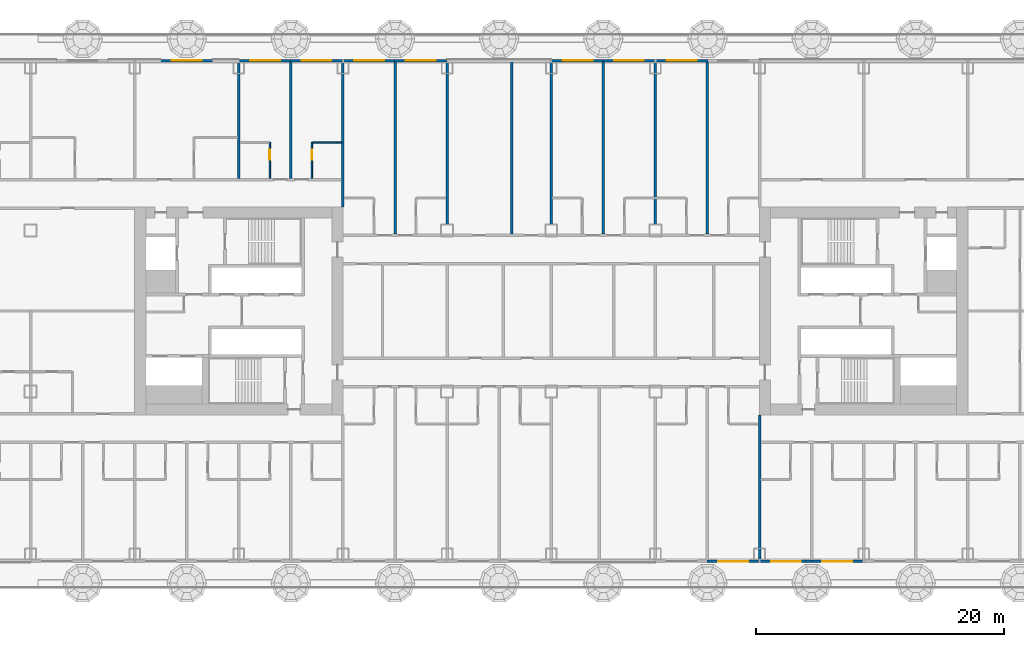
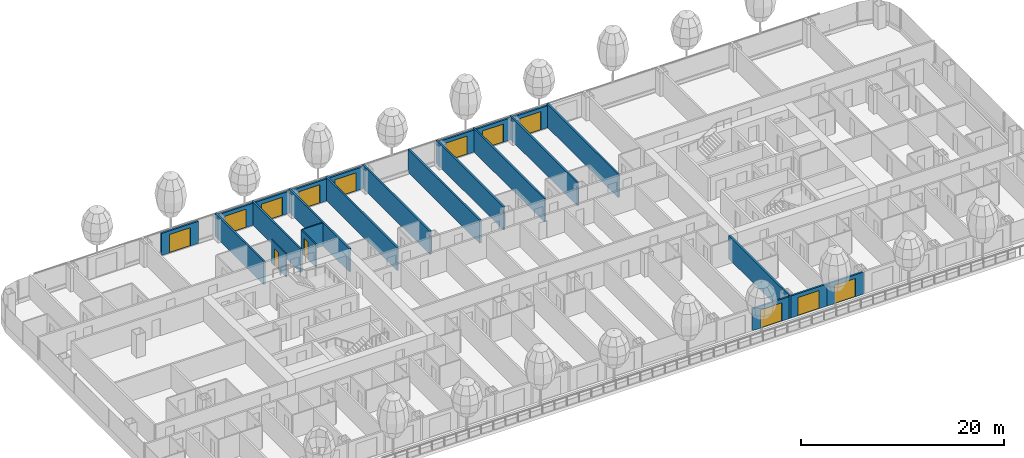
# One storey, part 18 of 37: 25 walls, 13 doors, 13 openings, 2 elements without a shape of their own.
"""IFC4 building model written with IfcOpenShell, lengths in metres."""

import ifcopenshell
import ifcopenshell.guid

model = None  # the IFC model being written
_history = None  # IfcOwnerHistory: only IFC2X3 demands one
_inside = {}  # id of a spatial element -> (the spatial element, [elements in it])
_under = {}  # id of a project, library or spatial element -> (it, [spatial elements below it])
_declared = {}  # id of a project -> (the project, [libraries it declares])
_typed = {}  # id of a type object -> (the type object, [elements of that type])
_made_of = {}  # id of a material, layer set ... -> (it, [elements and type objects made of it])


def new_model(schema):
    """Start an empty IFC model of exactly this schema.

    Asked for "IFC4X3", IfcOpenShell would pick the latest addendum, in which some entities
    have other attributes; the version numbers below select the first issue.
    IFC2X3 requires an IfcOwnerHistory on every rooted entity: one is made here for all.
    """
    global model, _history
    if schema == "IFC4X3":
        model = ifcopenshell.file(schema_version=(4, 3, 0, 0))
    else:
        model = ifcopenshell.file(schema=schema)
    _inside.clear()
    _under.clear()
    _declared.clear()
    _typed.clear()
    _made_of.clear()
    _history = None
    if model.schema == "IFC2X3":
        org = make("IfcOrganization", Name="unknown")
        user = make(
            "IfcPersonAndOrganization",
            ThePerson=make("IfcPerson", FamilyName="unknown"),
            TheOrganization=org,
        )
        app = make(
            "IfcApplication",
            ApplicationDeveloper=org,
            Version="unknown",
            ApplicationFullName="unknown",
            ApplicationIdentifier="unknown",
        )
        _history = make(
            "IfcOwnerHistory",
            OwningUser=user,
            OwningApplication=app,
            ChangeAction="ADDED",
            CreationDate=0,
        )
    return model


def make(cls, **values):
    """One entity of the class cls with the attributes given. An attribute that is None is left unset."""
    return model.create_entity(
        cls, **{name: value for name, value in values.items() if value is not None}
    )


def rooted(cls, **values):
    """An entity with a GlobalId (a new one), such as an element, a storey or a relation."""
    return make(cls, GlobalId=ifcopenshell.guid.new(), OwnerHistory=_history, **values)


def si_unit(unit_type, name, prefix=None):
    """IfcSIUnit, for example si_unit("LENGTHUNIT", "METRE", prefix="MILLI")."""
    return make("IfcSIUnit", UnitType=unit_type, Prefix=prefix, Name=name)


def assignment(units):
    """IfcUnitAssignment: the units of a project."""
    return None if units is None else make("IfcUnitAssignment", Units=units)


def point(xyz):
    """IfcCartesianPoint."""
    return None if xyz is None else make("IfcCartesianPoint", Coordinates=xyz)


def direction(xyz):
    """IfcDirection."""
    return None if xyz is None else make("IfcDirection", DirectionRatios=xyz)


def frame(location, z_axis=None, x_axis=None):
    """IfcAxis2Placement3D, a coordinate frame: its origin and axes. An axis left out is left unset."""
    return make(
        "IfcAxis2Placement3D",
        Location=point(location),
        Axis=direction(z_axis),
        RefDirection=direction(x_axis),
    )


def frame_2d(location, x_axis=None):
    """IfcAxis2Placement2D, a coordinate frame in the plane: its origin and x axis."""
    return make(
        "IfcAxis2Placement2D", Location=point(location), RefDirection=direction(x_axis)
    )


def origin():
    """The frame at (0, 0, 0) with its axes left unset."""
    return frame((0.0, 0.0, 0.0))


def place(relative_to, where):
    """IfcLocalPlacement: puts the frame where relative to a parent placement (None: the world)."""
    return make(
        "IfcLocalPlacement", PlacementRelTo=relative_to, RelativePlacement=where
    )


def context(
    kind, dimensions, precision=None, world=None, true_north=None, identifier=None
):
    """IfcGeometricRepresentationContext, for example the 3D "Model" context."""
    return make(
        "IfcGeometricRepresentationContext",
        ContextIdentifier=identifier,
        ContextType=kind,
        CoordinateSpaceDimension=dimensions,
        Precision=precision,
        WorldCoordinateSystem=world,
        TrueNorth=true_north,
    )


def subcontext(parent, identifier, kind, view, scale=None):
    """IfcGeometricRepresentationSubContext, for example "Body" below "Model"."""
    return make(
        "IfcGeometricRepresentationSubContext",
        ContextIdentifier=identifier,
        ContextType=kind,
        ParentContext=parent,
        TargetScale=scale,
        TargetView=view,
    )


def project(units=None, contexts=None):
    """IfcProject with its units and contexts."""
    return rooted(
        "IfcProject",
        Name="project",
        RepresentationContexts=contexts,
        UnitsInContext=assignment(units),
    )


def spatial(cls, under=None, at=None, **own):
    """A site, building, storey or space (cls), placed at a placement, below another one or the project."""
    s = rooted(cls, ObjectPlacement=at, **own)
    if under is not None:
        _under.setdefault(under.id(), (under, []))[1].append(s)
    return s


def profile(cls, at=None, kind="AREA", **sizes):
    """A parametric profile (cls). Its sizes go by their IFC names, for example OverallWidth=200.0."""
    return make(cls, ProfileType=kind, Position=at, **sizes)


def rectangle(**sizes):
    """IfcRectangleProfileDef."""
    return profile("IfcRectangleProfileDef", **sizes)


def extrude(swept, where, along, depth):
    """IfcExtrudedAreaSolid: the profile swept, set in the frame where, extruded along a direction by depth."""
    return make(
        "IfcExtrudedAreaSolid",
        SweptArea=swept,
        Position=where,
        ExtrudedDirection=direction(along),
        Depth=depth,
    )


def shape(context_of_items, identifier, shape_type, items):
    """IfcShapeRepresentation: the items that make up one representation, for example the "Body"."""
    return make(
        "IfcShapeRepresentation",
        ContextOfItems=context_of_items,
        RepresentationIdentifier=identifier,
        RepresentationType=shape_type,
        Items=items,
    )


def material(Name=None, Category=None):
    """IfcMaterial."""
    return make("IfcMaterial", Name=Name, Category=Category)


def layer(
    of_material, thickness, ventilated=None, Name=None, Category=None, Priority=None
):
    """IfcMaterialLayer: one layer of a wall or slab, of a material (None: an air gap)."""
    return make(
        "IfcMaterialLayer",
        Material=of_material,
        LayerThickness=thickness,
        IsVentilated=ventilated,
        Name=Name,
        Category=Category,
        Priority=Priority,
    )


def layer_set(layers, Name=None):
    """IfcMaterialLayerSet."""
    return make("IfcMaterialLayerSet", MaterialLayers=layers, LayerSetName=Name)


def made_of(thing, what):
    """Note that an element or type object is made of a material, layer set ...; save() writes the relation."""
    if what is not None:
        _made_of.setdefault(what.id(), (what, []))[1].append(thing)
    return thing


def type_object(cls, material=None, **own):
    """A type object (cls), such as IfcWallType, which elements share."""
    return made_of(rooted(cls, **own), material)


def element(
    cls,
    number,
    at=None,
    inside=None,
    cuts=None,
    type_object=None,
    material=None,
    context=None,
    identifier="Body",
    shape_type=None,
    held_by="IfcProductDefinitionShape",
    body=None,
    shapes=None,
    **own,
):
    """One element of the class cls, such as IfcWall. Its Tag is "e" and its number.

    at: its placement. inside: the storey or other place that contains it. cuts: it is an
    opening in that element (IfcRelVoidsElement). A single representation is given by context,
    identifier, shape_type and body (its items); several are given by shapes. held_by: the class
    of the entity that holds the representations. save() writes the other relations.
    """
    e = rooted(cls, Tag="e%d" % number, ObjectPlacement=at, **own)
    if body is not None:
        shapes = [shape(context, identifier, shape_type, body)]
    if shapes is not None:
        e.Representation = make(held_by, Representations=shapes)
    if inside is not None:
        _inside.setdefault(inside.id(), (inside, []))[1].append(e)
    if cuts is not None:
        rooted(
            "IfcRelVoidsElement", RelatingBuildingElement=cuts, RelatedOpeningElement=e
        )
    if type_object is not None:
        _typed.setdefault(type_object.id(), (type_object, []))[1].append(e)
    return made_of(e, material)


def fill(opening, filler):
    """IfcRelFillsElement: the door or window that sits in an opening."""
    return rooted(
        "IfcRelFillsElement",
        RelatingOpeningElement=opening,
        RelatedBuildingElement=filler,
    )


def aggregate(whole, parts):
    """IfcRelAggregates: a whole, such as a stair, and the parts it consists of."""
    return rooted("IfcRelAggregates", RelatingObject=whole, RelatedObjects=parts)


def save(model, path):
    """Write the relations noted so far, then the file.

    IfcRelAggregates (storeys below a building ...), IfcRelContainedInSpatialStructure (elements
    in a storey), IfcRelDefinesByType, IfcRelAssociatesMaterial and IfcRelDeclares: one each for
    every whole, place, type object, material and project.
    """
    for whole, parts in _under.values():
        aggregate(whole, parts)
    for where, things in _inside.values():
        rooted(
            "IfcRelContainedInSpatialStructure",
            RelatedElements=things,
            RelatingStructure=where,
        )
    for kind, things in _typed.values():
        rooted("IfcRelDefinesByType", RelatedObjects=things, RelatingType=kind)
    for what, things in _made_of.values():
        rooted("IfcRelAssociatesMaterial", RelatedObjects=things, RelatingMaterial=what)
    for by, libraries in _declared.values():
        rooted("IfcRelDeclares", RelatingContext=by, RelatedDefinitions=libraries)
    model.write(path)


model = new_model("IFC4")

# Units and contexts
model_context = context("Model", 3, precision=1e-05, world=origin(), true_north=direction((0.0, 1.0)))
body_context = subcontext(model_context, "Body", "Model", "MODEL_VIEW")
ifc_project = project(units=[si_unit("LENGTHUNIT", "METRE"), si_unit("AREAUNIT", "SQUARE_METRE"), si_unit("VOLUMEUNIT", "CUBIC_METRE"), si_unit("PLANEANGLEUNIT", "RADIAN"), si_unit("MASSUNIT", "GRAM", prefix="KILO")], contexts=[model_context])

# Site, building, storey
site_placement = place(None, origin())
site = spatial("IfcSite", under=ifc_project, at=site_placement, CompositionType="ELEMENT")
building_placement = place(site_placement, origin())
building = spatial("IfcBuilding", under=site, at=building_placement, Name="Hakoniwa Tower and Hamabe Station Hall", CompositionType="ELEMENT")
storey_placement = place(building_placement, frame((0.0, 0.0, 39.0)))
storey = spatial("IfcBuildingStorey", under=building, at=storey_placement, Name="L10", CompositionType="ELEMENT", Elevation=39.0)

# Wall
ifc_material_1 = material(Name="Gypsum board partition", Category="gypsum")
ifc_layer_1 = layer(ifc_material_1, 0.125)
ifc_layer_set_1 = layer_set([ifc_layer_1], Name="Bathroom Partition 125")
wall_type_1 = type_object("IfcWallType", Name="Bathroom Partition 125", PredefinedType="PARTITIONING", material=ifc_layer_set_1)
wall_1_placement = place(storey_placement, frame((-19.237548828125, 13.60009765625, 0.0), z_axis=(0.0, 0.0, 1.0), x_axis=(1.0, 0.0, 0.0)))
element("IfcWall", 1, at=wall_1_placement, inside=storey, type_object=wall_type_1, Name="GW-L10-043", PredefinedType="PARTITIONING", context=body_context, shape_type="SweptSolid", body=[
    extrude(rectangle(XDim=2.337646484375, YDim=0.125, at=frame_2d((1.1689453125, 0.0))), origin(), (0.0, 0.0, 1.0), 2.800048828125),
])

# Wall, opening, door
wall_2_placement = place(storey_placement, frame((-22.699951171875, 10.699951171875, 0.0), z_axis=(0.0, 0.0, 1.0), x_axis=(0.0, 1.0, 0.0)))
wall_2 = element("IfcWall", 2, at=wall_2_placement, inside=storey, type_object=wall_type_1, Name="GW-L10-071", PredefinedType="PARTITIONING", context=body_context, shape_type="SweptSolid", body=[
    extrude(rectangle(XDim=2.900146484375, YDim=0.125, at=frame_2d((1.4501953125, 0.0))), origin(), (0.0, 0.0, 1.0), 2.800048828125),
])
opening_1_placement = place(wall_2_placement, frame((1.5, 0.0, 0.0)))
opening_1 = element("IfcOpeningElement", 3, at=opening_1_placement, cuts=wall_2, Name="Opening GD-G1B1-75", PredefinedType="OPENING", context=body_context, shape_type="SweptSolid", body=[
    extrude(rectangle(XDim=0.800048828125, YDim=2.10009765625, at=frame_2d((0.39990234375, 1.050048828125))), frame((0.0, 0.072509765625, 0.0), z_axis=(0.0, -1.0, 0.0), x_axis=(1.0, 0.0, 0.0)), (0.0, 0.0, 1.0), 0.14501953125),
])
ifc_material_2 = material(Name="Timber door leaf", Category="wood")
door_type_1 = type_object("IfcDoorType", Name="Bathroom Door 800", OperationType="SINGLE_SWING_LEFT", PredefinedType="DOOR", material=ifc_material_2)
door_1_placement = place(opening_1_placement, origin())
door_1 = element("IfcDoor", 4, at=door_1_placement, inside=storey, type_object=door_type_1, Name="Door GD-G1B1-75", OperationType="SINGLE_SWING_LEFT", OverallHeight=2.10009765625, OverallWidth=0.800048828125, PredefinedType="DOOR", context=body_context, shape_type="SweptSolid", body=[
    extrude(rectangle(XDim=0.800048828125, YDim=2.10009765625, at=frame_2d((0.39990234375, 1.050048828125))), frame((0.0, 0.02490234375, 0.0), z_axis=(0.0, -1.0, 0.0), x_axis=(1.0, 0.0, 0.0)), (0.0, 0.0, 1.0), 0.050048828125),
])
fill(opening_1, door_1)

wall_3_placement = place(storey_placement, frame((-19.300048828125, 10.699951171875, 0.0), z_axis=(0.0, 0.0, 1.0), x_axis=(0.0, 1.0, 0.0)))
wall_3 = element("IfcWall", 5, at=wall_3_placement, inside=storey, type_object=wall_type_1, Name="GW-L10-075", PredefinedType="PARTITIONING", context=body_context, shape_type="SweptSolid", body=[
    extrude(rectangle(XDim=2.900146484375, YDim=0.125, at=frame_2d((1.4501953125, 0.0))), origin(), (0.0, 0.0, 1.0), 2.800048828125),
])
opening_2_placement = place(wall_3_placement, frame((1.5, 0.0, 0.0)))
opening_2 = element("IfcOpeningElement", 6, at=opening_2_placement, cuts=wall_3, Name="Opening GD-G1B1-77", PredefinedType="OPENING", context=body_context, shape_type="SweptSolid", body=[
    extrude(rectangle(XDim=0.800048828125, YDim=2.10009765625, at=frame_2d((0.39990234375, 1.050048828125))), frame((0.0, 0.072509765625, 0.0), z_axis=(0.0, -1.0, 0.0), x_axis=(1.0, 0.0, 0.0)), (0.0, 0.0, 1.0), 0.14501953125),
])
door_2_placement = place(opening_2_placement, origin())
door_2 = element("IfcDoor", 7, at=door_2_placement, inside=storey, type_object=door_type_1, Name="Door GD-G1B1-77", OperationType="SINGLE_SWING_RIGHT", OverallHeight=2.10009765625, OverallWidth=0.800048828125, PredefinedType="DOOR", context=body_context, shape_type="SweptSolid", body=[
    extrude(rectangle(XDim=0.800048828125, YDim=2.10009765625, at=frame_2d((0.39990234375, 1.050048828125))), frame((0.0, 0.02490234375, 0.0), z_axis=(0.0, -1.0, 0.0), x_axis=(1.0, 0.0, 0.0)), (0.0, 0.0, 1.0), 0.050048828125),
])
fill(opening_2, door_2)

# Curtain wall, walls, openings, doors
ifc_material_3 = material(Name="Dark low-e laminated glass", Category="glass")
ifc_layer_2 = layer(ifc_material_3, 0.199951171875)
ifc_layer_set_2 = layer_set([ifc_layer_2], Name="CW-1 UNITISED GUEST")
curtain_wall_type = type_object("IfcCurtainWallType", Name="CW-1 UNITISED GUEST", PredefinedType="NOTDEFINED", material=ifc_layer_set_2)
curtain_wall_1_placement = place(storey_placement, origin())
curtain_wall_1 = element("IfcCurtainWall", 8, at=curtain_wall_1_placement, inside=storey, type_object=curtain_wall_type, Name="CW-1 curtain wall", PredefinedType="NOTDEFINED")
ifc_material_4 = material(Name="Dark glass-faced aluminium panel", Category="aluminium")
ifc_layer_3 = layer(ifc_material_4, 0.199951171875)
ifc_layer_set_3 = layer_set([ifc_layer_3], Name="DOOR BAY WALL")
wall_type_2 = type_object("IfcWallType", Name="DOOR BAY WALL", PredefinedType="NOTDEFINED", material=ifc_layer_set_3)
wall_4_placement = place(storey_placement, frame((12.639892578125, 20.199951171875, 0.0), z_axis=(0.0, 0.0, 1.0), x_axis=(-1.0, 0.0, 0.0)))
wall_4 = element("IfcWall", 9, at=wall_4_placement, type_object=wall_type_2, Name="Door bay wall", PredefinedType="NOTDEFINED", context=body_context, shape_type="SweptSolid", body=[
    extrude(rectangle(XDim=4.219970703125, YDim=0.199951171875, at=frame_2d((2.10986328125, 0.0))), origin(), (0.0, 0.0, 1.0), 2.64990234375),
])
opening_3_placement = place(wall_4_placement, frame((0.909912109375, 0.0, 0.0)))
opening_3 = element("IfcOpeningElement", 10, at=opening_3_placement, cuts=wall_4, Name="Opening BD-N03-5", PredefinedType="OPENING", context=body_context, shape_type="SweptSolid", body=[
    extrude(rectangle(XDim=2.39990234375, YDim=2.199951171875, at=frame_2d((1.199951171875, 1.10009765625))), frame((0.0, 0.10986328125, 0.0), z_axis=(0.0, -1.0, 0.0), x_axis=(1.0, 0.0, 0.0)), (0.0, 0.0, 1.0), 0.219970703125),
])
ifc_material_5 = material(Name="Dark low-e laminated glass", Category="glass")
door_type_2 = type_object("IfcDoorType", Name="BALCONY SLIDING DOOR 2400X2200", OperationType="SLIDING_TO_LEFT", PredefinedType="DOOR", material=ifc_material_5)
door_3_placement = place(opening_3_placement, frame((2.39990234375, 0.0, 0.0), z_axis=(0.0, 0.0, 1.0), x_axis=(-1.0, 0.0, 0.0)))
door_3 = element("IfcDoor", 11, at=door_3_placement, inside=storey, type_object=door_type_2, Name="Balcony sliding door", OperationType="SLIDING_TO_LEFT", OverallHeight=2.199951171875, OverallWidth=2.39990234375, PredefinedType="DOOR", context=body_context, shape_type="SweptSolid", body=[
    extrude(rectangle(XDim=2.39990234375, YDim=2.199951171875, at=frame_2d((1.199951171875, 1.10009765625))), frame((0.0, 0.02490234375, 0.0), z_axis=(0.0, -1.0, 0.0), x_axis=(1.0, 0.0, 0.0)), (0.0, 0.0, 1.0), 0.050048828125),
])
fill(opening_3, door_3)
wall_5_placement = place(storey_placement, frame((8.3798828125, 20.199951171875, 0.0), z_axis=(0.0, 0.0, 1.0), x_axis=(-1.0, 0.0, 0.0)))
wall_5 = element("IfcWall", 12, at=wall_5_placement, type_object=wall_type_2, Name="Door bay wall", PredefinedType="NOTDEFINED", context=body_context, shape_type="SweptSolid", body=[
    extrude(rectangle(XDim=4.219970703125, YDim=0.199951171875, at=frame_2d((2.10986328125, 0.0))), origin(), (0.0, 0.0, 1.0), 2.64990234375),
])
opening_4_placement = place(wall_5_placement, frame((0.909912109375, 0.0, 0.0)))
opening_4 = element("IfcOpeningElement", 13, at=opening_4_placement, cuts=wall_5, Name="Opening BD-N03-4", PredefinedType="OPENING", context=body_context, shape_type="SweptSolid", body=[
    extrude(rectangle(XDim=2.39990234375, YDim=2.199951171875, at=frame_2d((1.199951171875, 1.10009765625))), frame((0.0, 0.10986328125, 0.0), z_axis=(0.0, -1.0, 0.0), x_axis=(1.0, 0.0, 0.0)), (0.0, 0.0, 1.0), 0.219970703125),
])
door_4_placement = place(opening_4_placement, frame((2.39990234375, 0.0, 0.0), z_axis=(0.0, 0.0, 1.0), x_axis=(-1.0, 0.0, 0.0)))
door_4 = element("IfcDoor", 14, at=door_4_placement, inside=storey, type_object=door_type_2, Name="Balcony sliding door", OperationType="SLIDING_TO_LEFT", OverallHeight=2.199951171875, OverallWidth=2.39990234375, PredefinedType="DOOR", context=body_context, shape_type="SweptSolid", body=[
    extrude(rectangle(XDim=2.39990234375, YDim=2.199951171875, at=frame_2d((1.199951171875, 1.10009765625))), frame((0.0, 0.02490234375, 0.0), z_axis=(0.0, -1.0, 0.0), x_axis=(1.0, 0.0, 0.0)), (0.0, 0.0, 1.0), 0.050048828125),
])
fill(opening_4, door_4)
wall_6_placement = place(storey_placement, frame((4.239990234375, 20.199951171875, 0.0), z_axis=(0.0, 0.0, 1.0), x_axis=(-1.0, 0.0, 0.0)))
wall_6 = element("IfcWall", 15, at=wall_6_placement, type_object=wall_type_2, Name="Door bay wall", PredefinedType="NOTDEFINED", context=body_context, shape_type="SweptSolid", body=[
    extrude(rectangle(XDim=4.219970703125, YDim=0.199951171875, at=frame_2d((2.10986328125, 0.0))), origin(), (0.0, 0.0, 1.0), 2.64990234375),
])
opening_5_placement = place(wall_6_placement, frame((0.909912109375, 0.0, 0.0)))
opening_5 = element("IfcOpeningElement", 16, at=opening_5_placement, cuts=wall_6, Name="Opening BD-N03-3", PredefinedType="OPENING", context=body_context, shape_type="SweptSolid", body=[
    extrude(rectangle(XDim=2.39990234375, YDim=2.199951171875, at=frame_2d((1.199951171875, 1.10009765625))), frame((0.0, 0.10986328125, 0.0), z_axis=(0.0, -1.0, 0.0), x_axis=(1.0, 0.0, 0.0)), (0.0, 0.0, 1.0), 0.219970703125),
])
door_5_placement = place(opening_5_placement, frame((2.39990234375, 0.0, 0.0), z_axis=(0.0, 0.0, 1.0), x_axis=(-1.0, 0.0, 0.0)))
door_5 = element("IfcDoor", 17, at=door_5_placement, inside=storey, type_object=door_type_2, Name="Balcony sliding door", OperationType="SLIDING_TO_LEFT", OverallHeight=2.199951171875, OverallWidth=2.39990234375, PredefinedType="DOOR", context=body_context, shape_type="SweptSolid", body=[
    extrude(rectangle(XDim=2.39990234375, YDim=2.199951171875, at=frame_2d((1.199951171875, 1.10009765625))), frame((0.0, 0.02490234375, 0.0), z_axis=(0.0, -1.0, 0.0), x_axis=(1.0, 0.0, 0.0)), (0.0, 0.0, 1.0), 0.050048828125),
])
fill(opening_5, door_5)
wall_7_placement = place(storey_placement, frame((-8.419921875, 20.199951171875, 0.0), z_axis=(0.0, 0.0, 1.0), x_axis=(-1.0, 0.0, 0.0)))
wall_7 = element("IfcWall", 18, at=wall_7_placement, type_object=wall_type_2, Name="Door bay wall", PredefinedType="NOTDEFINED", context=body_context, shape_type="SweptSolid", body=[
    extrude(rectangle(XDim=4.219970703125, YDim=0.199951171875, at=frame_2d((2.10986328125, 0.0))), origin(), (0.0, 0.0, 1.0), 2.64990234375),
])
opening_6_placement = place(wall_7_placement, frame((0.909912109375, 0.0, 0.0)))
opening_6 = element("IfcOpeningElement", 19, at=opening_6_placement, cuts=wall_7, Name="Opening BD-N03-2", PredefinedType="OPENING", context=body_context, shape_type="SweptSolid", body=[
    extrude(rectangle(XDim=2.39990234375, YDim=2.199951171875, at=frame_2d((1.199951171875, 1.10009765625))), frame((0.0, 0.10986328125, 0.0), z_axis=(0.0, -1.0, 0.0), x_axis=(1.0, 0.0, 0.0)), (0.0, 0.0, 1.0), 0.219970703125),
])
door_6_placement = place(opening_6_placement, frame((2.39990234375, 0.0, 0.0), z_axis=(0.0, 0.0, 1.0), x_axis=(-1.0, 0.0, 0.0)))
door_6 = element("IfcDoor", 20, at=door_6_placement, inside=storey, type_object=door_type_2, Name="Balcony sliding door", OperationType="SLIDING_TO_LEFT", OverallHeight=2.199951171875, OverallWidth=2.39990234375, PredefinedType="DOOR", context=body_context, shape_type="SweptSolid", body=[
    extrude(rectangle(XDim=2.39990234375, YDim=2.199951171875, at=frame_2d((1.199951171875, 1.10009765625))), frame((0.0, 0.02490234375, 0.0), z_axis=(0.0, -1.0, 0.0), x_axis=(1.0, 0.0, 0.0)), (0.0, 0.0, 1.0), 0.050048828125),
])
fill(opening_6, door_6)
wall_8_placement = place(storey_placement, frame((-12.56005859375, 20.199951171875, 0.0), z_axis=(0.0, 0.0, 1.0), x_axis=(-1.0, 0.0, 0.0)))
wall_8 = element("IfcWall", 21, at=wall_8_placement, type_object=wall_type_2, Name="Door bay wall", PredefinedType="NOTDEFINED", context=body_context, shape_type="SweptSolid", body=[
    extrude(rectangle(XDim=4.219970703125, YDim=0.199951171875, at=frame_2d((2.10986328125, 0.0))), origin(), (0.0, 0.0, 1.0), 2.64990234375),
])
opening_7_placement = place(wall_8_placement, frame((0.909912109375, 0.0, 0.0)))
opening_7 = element("IfcOpeningElement", 22, at=opening_7_placement, cuts=wall_8, Name="Opening BD-N03-1", PredefinedType="OPENING", context=body_context, shape_type="SweptSolid", body=[
    extrude(rectangle(XDim=2.39990234375, YDim=2.199951171875, at=frame_2d((1.199951171875, 1.10009765625))), frame((0.0, 0.10986328125, 0.0), z_axis=(0.0, -1.0, 0.0), x_axis=(1.0, 0.0, 0.0)), (0.0, 0.0, 1.0), 0.219970703125),
])
door_7_placement = place(opening_7_placement, frame((2.39990234375, 0.0, 0.0), z_axis=(0.0, 0.0, 1.0), x_axis=(-1.0, 0.0, 0.0)))
door_7 = element("IfcDoor", 23, at=door_7_placement, inside=storey, type_object=door_type_2, Name="Balcony sliding door", OperationType="SLIDING_TO_LEFT", OverallHeight=2.199951171875, OverallWidth=2.39990234375, PredefinedType="DOOR", context=body_context, shape_type="SweptSolid", body=[
    extrude(rectangle(XDim=2.39990234375, YDim=2.199951171875, at=frame_2d((1.199951171875, 1.10009765625))), frame((0.0, 0.02490234375, 0.0), z_axis=(0.0, -1.0, 0.0), x_axis=(1.0, 0.0, 0.0)), (0.0, 0.0, 1.0), 0.050048828125),
])
fill(opening_7, door_7)
wall_9_placement = place(storey_placement, frame((-16.820068359375, 20.199951171875, 0.0), z_axis=(0.0, 0.0, 1.0), x_axis=(-1.0, 0.0, 0.0)))
wall_9 = element("IfcWall", 24, at=wall_9_placement, type_object=wall_type_2, Name="Door bay wall", PredefinedType="NOTDEFINED", context=body_context, shape_type="SweptSolid", body=[
    extrude(rectangle(XDim=4.219970703125, YDim=0.199951171875, at=frame_2d((2.10986328125, 0.0))), origin(), (0.0, 0.0, 1.0), 2.64990234375),
])
opening_8_placement = place(wall_9_placement, frame((0.909912109375, 0.0, 0.0)))
opening_8 = element("IfcOpeningElement", 25, at=opening_8_placement, cuts=wall_9, Name="Opening BD-N03-22", PredefinedType="OPENING", context=body_context, shape_type="SweptSolid", body=[
    extrude(rectangle(XDim=2.39990234375, YDim=2.199951171875, at=frame_2d((1.199951171875, 1.10009765625))), frame((0.0, 0.10986328125, 0.0), z_axis=(0.0, -1.0, 0.0), x_axis=(1.0, 0.0, 0.0)), (0.0, 0.0, 1.0), 0.219970703125),
])
door_8_placement = place(opening_8_placement, frame((2.39990234375, 0.0, 0.0), z_axis=(0.0, 0.0, 1.0), x_axis=(-1.0, 0.0, 0.0)))
door_8 = element("IfcDoor", 26, at=door_8_placement, inside=storey, type_object=door_type_2, Name="Balcony sliding door", OperationType="SLIDING_TO_LEFT", OverallHeight=2.199951171875, OverallWidth=2.39990234375, PredefinedType="DOOR", context=body_context, shape_type="SweptSolid", body=[
    extrude(rectangle(XDim=2.39990234375, YDim=2.199951171875, at=frame_2d((1.199951171875, 1.10009765625))), frame((0.0, 0.02490234375, 0.0), z_axis=(0.0, -1.0, 0.0), x_axis=(1.0, 0.0, 0.0)), (0.0, 0.0, 1.0), 0.050048828125),
])
fill(opening_8, door_8)
wall_10_placement = place(storey_placement, frame((-20.9599609375, 20.199951171875, 0.0), z_axis=(0.0, 0.0, 1.0), x_axis=(-1.0, 0.0, 0.0)))
wall_10 = element("IfcWall", 27, at=wall_10_placement, type_object=wall_type_2, Name="Door bay wall", PredefinedType="NOTDEFINED", context=body_context, shape_type="SweptSolid", body=[
    extrude(rectangle(XDim=4.219970703125, YDim=0.199951171875, at=frame_2d((2.10986328125, 0.0))), origin(), (0.0, 0.0, 1.0), 2.64990234375),
])
opening_9_placement = place(wall_10_placement, frame((0.909912109375, 0.0, 0.0)))
opening_9 = element("IfcOpeningElement", 28, at=opening_9_placement, cuts=wall_10, Name="Opening BD-N03-21", PredefinedType="OPENING", context=body_context, shape_type="SweptSolid", body=[
    extrude(rectangle(XDim=2.39990234375, YDim=2.199951171875, at=frame_2d((1.199951171875, 1.10009765625))), frame((0.0, 0.10986328125, 0.0), z_axis=(0.0, -1.0, 0.0), x_axis=(1.0, 0.0, 0.0)), (0.0, 0.0, 1.0), 0.219970703125),
])
door_9_placement = place(opening_9_placement, frame((2.39990234375, 0.0, 0.0), z_axis=(0.0, 0.0, 1.0), x_axis=(-1.0, 0.0, 0.0)))
door_9 = element("IfcDoor", 29, at=door_9_placement, inside=storey, type_object=door_type_2, Name="Balcony sliding door", OperationType="SLIDING_TO_LEFT", OverallHeight=2.199951171875, OverallWidth=2.39990234375, PredefinedType="DOOR", context=body_context, shape_type="SweptSolid", body=[
    extrude(rectangle(XDim=2.39990234375, YDim=2.199951171875, at=frame_2d((1.199951171875, 1.10009765625))), frame((0.0, 0.02490234375, 0.0), z_axis=(0.0, -1.0, 0.0), x_axis=(1.0, 0.0, 0.0)), (0.0, 0.0, 1.0), 0.050048828125),
])
fill(opening_9, door_9)
wall_11_placement = place(storey_placement, frame((-27.2900390625, 20.199951171875, 0.0), z_axis=(0.0, 0.0, 1.0), x_axis=(-1.0, 0.0, 0.0)))
wall_11 = element("IfcWall", 30, at=wall_11_placement, type_object=wall_type_2, Name="Door bay wall", PredefinedType="NOTDEFINED", context=body_context, shape_type="SweptSolid", body=[
    extrude(rectangle(XDim=4.219970703125, YDim=0.199951171875, at=frame_2d((2.10986328125, 0.0))), origin(), (0.0, 0.0, 1.0), 2.64990234375),
])
opening_10_placement = place(wall_11_placement, frame((0.909912109375, 0.0, 0.0)))
opening_10 = element("IfcOpeningElement", 31, at=opening_10_placement, cuts=wall_11, Name="Opening BD-N03-20", PredefinedType="OPENING", context=body_context, shape_type="SweptSolid", body=[
    extrude(rectangle(XDim=2.39990234375, YDim=2.199951171875, at=frame_2d((1.199951171875, 1.10009765625))), frame((0.0, 0.10986328125, 0.0), z_axis=(0.0, -1.0, 0.0), x_axis=(1.0, 0.0, 0.0)), (0.0, 0.0, 1.0), 0.219970703125),
])
door_10_placement = place(opening_10_placement, frame((2.39990234375, 0.0, 0.0), z_axis=(0.0, 0.0, 1.0), x_axis=(-1.0, 0.0, 0.0)))
door_10 = element("IfcDoor", 32, at=door_10_placement, inside=storey, type_object=door_type_2, Name="Balcony sliding door", OperationType="SLIDING_TO_LEFT", OverallHeight=2.199951171875, OverallWidth=2.39990234375, PredefinedType="DOOR", context=body_context, shape_type="SweptSolid", body=[
    extrude(rectangle(XDim=2.39990234375, YDim=2.199951171875, at=frame_2d((1.199951171875, 1.10009765625))), frame((0.0, 0.02490234375, 0.0), z_axis=(0.0, -1.0, 0.0), x_axis=(1.0, 0.0, 0.0)), (0.0, 0.0, 1.0), 0.050048828125),
])
fill(opening_10, door_10)
aggregate(curtain_wall_1, [wall_4, wall_5, wall_6, wall_7, wall_8, wall_9, wall_10, wall_11])

curtain_wall_2_placement = place(storey_placement, origin())
curtain_wall_2 = element("IfcCurtainWall", 33, at=curtain_wall_2_placement, inside=storey, type_object=curtain_wall_type, Name="CW-1 curtain wall", PredefinedType="NOTDEFINED")
wall_12_placement = place(storey_placement, frame((12.56005859375, -20.199951171875, 0.0), z_axis=(0.0, 0.0, 1.0), x_axis=(1.0, 0.0, 0.0)))
wall_12 = element("IfcWall", 34, at=wall_12_placement, type_object=wall_type_2, Name="Door bay wall", PredefinedType="NOTDEFINED", context=body_context, shape_type="SweptSolid", body=[
    extrude(rectangle(XDim=4.219970703125, YDim=0.199951171875, at=frame_2d((2.10986328125, 0.0))), origin(), (0.0, 0.0, 1.0), 2.64990234375),
])
opening_11_placement = place(wall_12_placement, frame((0.909912109375, 0.0, 0.0)))
opening_11 = element("IfcOpeningElement", 35, at=opening_11_placement, cuts=wall_12, Name="Opening BD-S07-12", PredefinedType="OPENING", context=body_context, shape_type="SweptSolid", body=[
    extrude(rectangle(XDim=2.39990234375, YDim=2.199951171875, at=frame_2d((1.199951171875, 1.10009765625))), frame((0.0, 0.10986328125, 0.0), z_axis=(0.0, -1.0, 0.0), x_axis=(1.0, 0.0, 0.0)), (0.0, 0.0, 1.0), 0.219970703125),
])
door_11_placement = place(opening_11_placement, frame((2.39990234375, 0.0, 0.0), z_axis=(0.0, 0.0, 1.0), x_axis=(-1.0, 0.0, 0.0)))
door_11 = element("IfcDoor", 36, at=door_11_placement, inside=storey, type_object=door_type_2, Name="Balcony sliding door", OperationType="SLIDING_TO_LEFT", OverallHeight=2.199951171875, OverallWidth=2.39990234375, PredefinedType="DOOR", context=body_context, shape_type="SweptSolid", body=[
    extrude(rectangle(XDim=2.39990234375, YDim=2.199951171875, at=frame_2d((1.199951171875, 1.10009765625))), frame((0.0, 0.02490234375, 0.0), z_axis=(0.0, -1.0, 0.0), x_axis=(1.0, 0.0, 0.0)), (0.0, 0.0, 1.0), 0.050048828125),
])
fill(opening_11, door_11)
wall_13_placement = place(storey_placement, frame((16.820068359375, -20.199951171875, 0.0), z_axis=(0.0, 0.0, 1.0), x_axis=(1.0, 0.0, 0.0)))
wall_13 = element("IfcWall", 37, at=wall_13_placement, type_object=wall_type_2, Name="Door bay wall", PredefinedType="NOTDEFINED", context=body_context, shape_type="SweptSolid", body=[
    extrude(rectangle(XDim=4.219970703125, YDim=0.199951171875, at=frame_2d((2.10986328125, 0.0))), origin(), (0.0, 0.0, 1.0), 2.64990234375),
])
opening_12_placement = place(wall_13_placement, frame((0.909912109375, 0.0, 0.0)))
opening_12 = element("IfcOpeningElement", 38, at=opening_12_placement, cuts=wall_13, Name="Opening BD-S07-13", PredefinedType="OPENING", context=body_context, shape_type="SweptSolid", body=[
    extrude(rectangle(XDim=2.39990234375, YDim=2.199951171875, at=frame_2d((1.199951171875, 1.10009765625))), frame((0.0, 0.10986328125, 0.0), z_axis=(0.0, -1.0, 0.0), x_axis=(1.0, 0.0, 0.0)), (0.0, 0.0, 1.0), 0.219970703125),
])
door_12_placement = place(opening_12_placement, frame((2.39990234375, 0.0, 0.0), z_axis=(0.0, 0.0, 1.0), x_axis=(-1.0, 0.0, 0.0)))
door_12 = element("IfcDoor", 39, at=door_12_placement, inside=storey, type_object=door_type_2, Name="Balcony sliding door", OperationType="SLIDING_TO_LEFT", OverallHeight=2.199951171875, OverallWidth=2.39990234375, PredefinedType="DOOR", context=body_context, shape_type="SweptSolid", body=[
    extrude(rectangle(XDim=2.39990234375, YDim=2.199951171875, at=frame_2d((1.199951171875, 1.10009765625))), frame((0.0, 0.02490234375, 0.0), z_axis=(0.0, -1.0, 0.0), x_axis=(1.0, 0.0, 0.0)), (0.0, 0.0, 1.0), 0.050048828125),
])
fill(opening_12, door_12)
wall_14_placement = place(storey_placement, frame((20.9599609375, -20.199951171875, 0.0), z_axis=(0.0, 0.0, 1.0), x_axis=(1.0, 0.0, 0.0)))
wall_14 = element("IfcWall", 40, at=wall_14_placement, type_object=wall_type_2, Name="Door bay wall", PredefinedType="NOTDEFINED", context=body_context, shape_type="SweptSolid", body=[
    extrude(rectangle(XDim=4.219970703125, YDim=0.199951171875, at=frame_2d((2.10986328125, 0.0))), origin(), (0.0, 0.0, 1.0), 2.64990234375),
])
opening_13_placement = place(wall_14_placement, frame((0.909912109375, 0.0, 0.0)))
opening_13 = element("IfcOpeningElement", 41, at=opening_13_placement, cuts=wall_14, Name="Opening BD-S07-14", PredefinedType="OPENING", context=body_context, shape_type="SweptSolid", body=[
    extrude(rectangle(XDim=2.39990234375, YDim=2.199951171875, at=frame_2d((1.199951171875, 1.10009765625))), frame((0.0, 0.10986328125, 0.0), z_axis=(0.0, -1.0, 0.0), x_axis=(1.0, 0.0, 0.0)), (0.0, 0.0, 1.0), 0.219970703125),
])
door_13_placement = place(opening_13_placement, frame((2.39990234375, 0.0, 0.0), z_axis=(0.0, 0.0, 1.0), x_axis=(-1.0, 0.0, 0.0)))
door_13 = element("IfcDoor", 42, at=door_13_placement, inside=storey, type_object=door_type_2, Name="Balcony sliding door", OperationType="SLIDING_TO_LEFT", OverallHeight=2.199951171875, OverallWidth=2.39990234375, PredefinedType="DOOR", context=body_context, shape_type="SweptSolid", body=[
    extrude(rectangle(XDim=2.39990234375, YDim=2.199951171875, at=frame_2d((1.199951171875, 1.10009765625))), frame((0.0, 0.02490234375, 0.0), z_axis=(0.0, -1.0, 0.0), x_axis=(1.0, 0.0, 0.0)), (0.0, 0.0, 1.0), 0.050048828125),
])
fill(opening_13, door_13)
aggregate(curtain_wall_2, [wall_12, wall_13, wall_14])

# Walls
ifc_material_6 = material(Name="Fire-rated gypsum board partition", Category="gypsum")
ifc_layer_4 = layer(ifc_material_6, 0.199951171875)
ifc_layer_set_4 = layer_set([ifc_layer_4], Name="Party Wall 200")
wall_type_3 = type_object("IfcWallType", Name="Party Wall 200", PredefinedType="PARTITIONING", material=ifc_layer_set_4)
for number, where, z_axis, x_axis, name in (
    (43, (-25.199951171875, 10.699951171875, 0.0), (0.0, 0.0, 1.0), (0.0, 1.0, 0.0), "GW-L10-069"),
    (44, (-21.0, 10.699951171875, 0.0), (0.0, 0.0, 1.0), (0.0, 1.0, 0.0), "GW-L10-073"),
):
    element("IfcWall", number, at=place(storey_placement, frame(where, z_axis=z_axis, x_axis=x_axis)), inside=storey, type_object=wall_type_3, Name=name, PredefinedType="PARTITIONING", context=body_context, shape_type="SweptSolid", body=[
        extrude(rectangle(XDim=9.60009765625, YDim=0.199951171875, at=frame_2d((4.800048828125, 0.0))), origin(), (0.0, 0.0, 1.0), 2.800048828125),
    ])
wall_15_placement = place(storey_placement, frame((-16.800048828125, 8.389892578125, 0.0), z_axis=(0.0, 0.0, 1.0), x_axis=(0.0, 1.0, 0.0)))
element("IfcWall", 45, at=wall_15_placement, inside=storey, type_object=wall_type_3, Name="GW-L10-077", PredefinedType="PARTITIONING", context=body_context, shape_type="SweptSolid", body=[
    extrude(rectangle(XDim=11.91015625, YDim=0.199951171875, at=frame_2d((5.955078125, 0.0))), origin(), (0.0, 0.0, 1.0), 2.800048828125),
])
wall_16_placement = place(storey_placement, frame((-12.60009765625, 6.199951171875, 0.0), z_axis=(0.0, 0.0, 1.0), x_axis=(0.0, 1.0, 0.0)))
element("IfcWall", 46, at=wall_16_placement, inside=storey, type_object=wall_type_3, Name="GW-L10-082", PredefinedType="PARTITIONING", context=body_context, shape_type="SweptSolid", body=[
    extrude(rectangle(XDim=14.10009765625, YDim=0.199951171875, at=frame_2d((7.050048828125, 0.0))), origin(), (0.0, 0.0, 1.0), 2.800048828125),
])
wall_17_placement = place(storey_placement, frame((-8.39990234375, 6.989990234375, 0.0), z_axis=(0.0, 0.0, 1.0), x_axis=(0.0, 1.0, 0.0)))
element("IfcWall", 47, at=wall_17_placement, inside=storey, type_object=wall_type_3, Name="GW-L10-087", PredefinedType="PARTITIONING", context=body_context, shape_type="SweptSolid", body=[
    extrude(rectangle(XDim=13.31005859375, YDim=0.199951171875, at=frame_2d((6.655029296875, 0.0))), origin(), (0.0, 0.0, 1.0), 2.800048828125),
])
wall_18_placement = place(storey_placement, frame((-3.18994140625, 6.199951171875, 0.0), z_axis=(0.0, 0.0, 1.0), x_axis=(0.0, 1.0, 0.0)))
element("IfcWall", 48, at=wall_18_placement, inside=storey, type_object=wall_type_3, Name="GW-L10-091", PredefinedType="PARTITIONING", context=body_context, shape_type="SweptSolid", body=[
    extrude(rectangle(XDim=14.10009765625, YDim=0.199951171875, at=frame_2d((7.050048828125, 0.0))), origin(), (0.0, 0.0, 1.0), 2.800048828125),
])
wall_19_placement = place(storey_placement, frame((0.0, 6.989990234375, 0.0), z_axis=(0.0, 0.0, 1.0), x_axis=(0.0, 1.0, 0.0)))
element("IfcWall", 49, at=wall_19_placement, inside=storey, type_object=wall_type_3, Name="GW-L10-095", PredefinedType="PARTITIONING", context=body_context, shape_type="SweptSolid", body=[
    extrude(rectangle(XDim=13.31005859375, YDim=0.199951171875, at=frame_2d((6.655029296875, 0.0))), origin(), (0.0, 0.0, 1.0), 2.800048828125),
])
wall_20_placement = place(storey_placement, frame((4.199951171875, 6.199951171875, 0.0), z_axis=(0.0, 0.0, 1.0), x_axis=(0.0, 1.0, 0.0)))
element("IfcWall", 50, at=wall_20_placement, inside=storey, type_object=wall_type_3, Name="GW-L10-098", PredefinedType="PARTITIONING", context=body_context, shape_type="SweptSolid", body=[
    extrude(rectangle(XDim=14.10009765625, YDim=0.199951171875, at=frame_2d((7.050048828125, 0.0))), origin(), (0.0, 0.0, 1.0), 2.800048828125),
])
wall_21_placement = place(storey_placement, frame((8.39990234375, 6.989990234375, 0.0), z_axis=(0.0, 0.0, 1.0), x_axis=(0.0, 1.0, 0.0)))
element("IfcWall", 51, at=wall_21_placement, inside=storey, type_object=wall_type_3, Name="GW-L10-103", PredefinedType="PARTITIONING", context=body_context, shape_type="SweptSolid", body=[
    extrude(rectangle(XDim=13.31005859375, YDim=0.199951171875, at=frame_2d((6.655029296875, 0.0))), origin(), (0.0, 0.0, 1.0), 2.800048828125),
])
wall_22_placement = place(storey_placement, frame((12.60009765625, 6.199951171875, 0.0), z_axis=(0.0, 0.0, 1.0), x_axis=(0.0, 1.0, 0.0)))
element("IfcWall", 52, at=wall_22_placement, inside=storey, type_object=wall_type_3, Name="GW-L10-107", PredefinedType="PARTITIONING", context=body_context, shape_type="SweptSolid", body=[
    extrude(rectangle(XDim=14.10009765625, YDim=0.199951171875, at=frame_2d((7.050048828125, 0.0))), origin(), (0.0, 0.0, 1.0), 2.800048828125),
])
wall_23_placement = place(storey_placement, frame((16.800048828125, -20.300048828125, 0.0), z_axis=(0.0, 0.0, 1.0), x_axis=(0.0, 1.0, 0.0)))
element("IfcWall", 53, at=wall_23_placement, inside=storey, type_object=wall_type_3, Name="GW-L10-111", PredefinedType="PARTITIONING", context=body_context, shape_type="SweptSolid", body=[
    extrude(rectangle(XDim=11.91015625, YDim=0.199951171875, at=frame_2d((5.955078125, 0.0))), origin(), (0.0, 0.0, 1.0), 2.800048828125),
])

save(model, "model.ifc")
